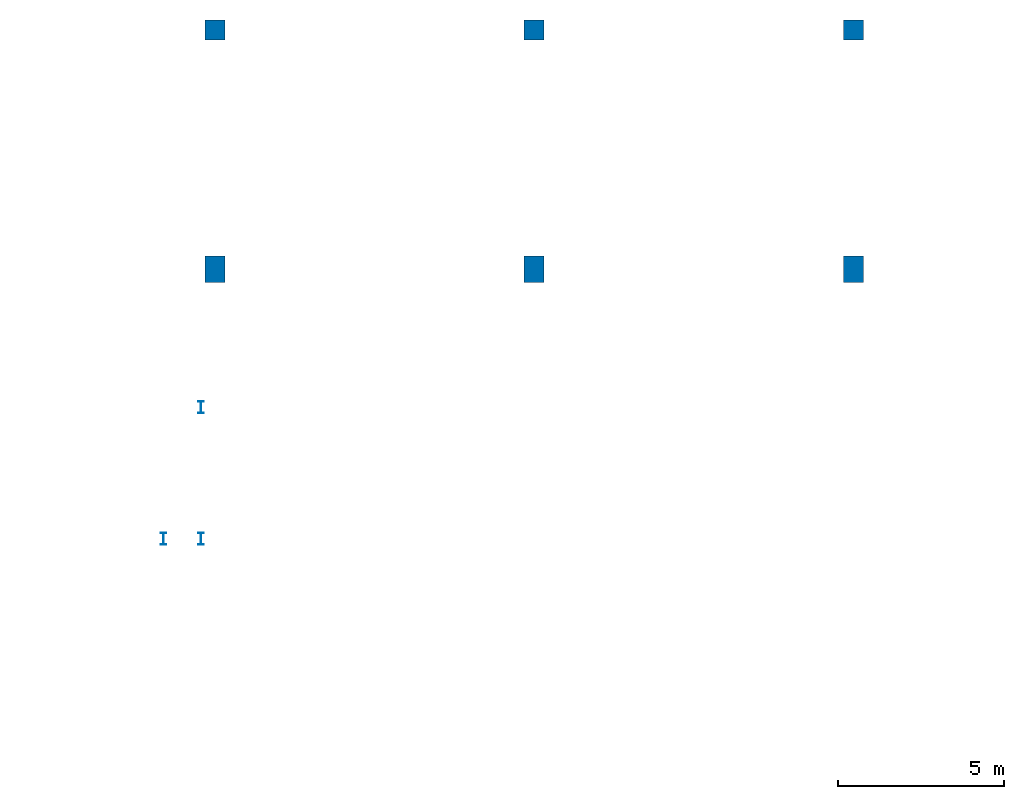
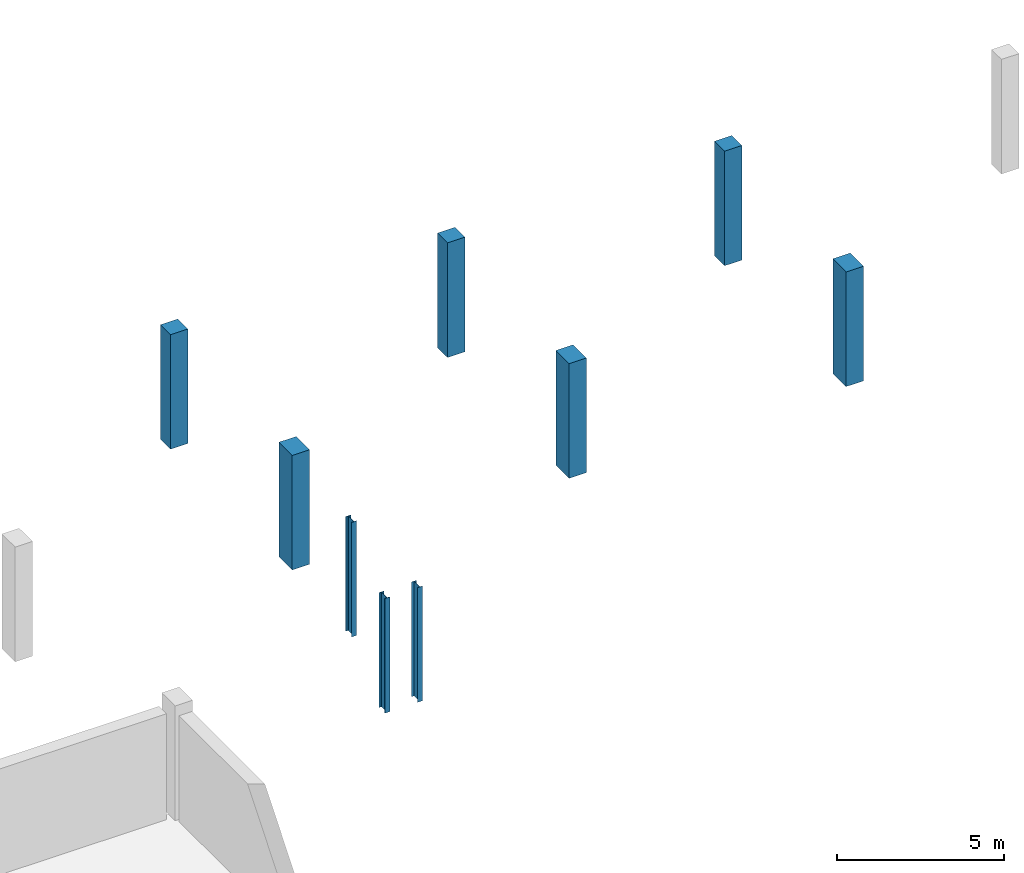
# One storey, part 23 of 47: 9 columns.
"""IFC4 building model written with IfcOpenShell, lengths in metres."""

from ifc_helpers import new_model, si_unit, direction, frame, origin, origin_2d, place, context, subcontext, project, spatial, rectangle, i_section, extrude, material, material_profile, profile_set, type_object, element, save


model = new_model("IFC4")

# Units and contexts
model_context = context("Model", 3, precision=1e-05, world=origin(), true_north=direction((0.0, 1.0)))
body_context = subcontext(model_context, "Body", "Model", "MODEL_VIEW")
ifc_project = project(units=[si_unit("LENGTHUNIT", "METRE"), si_unit("AREAUNIT", "SQUARE_METRE"), si_unit("VOLUMEUNIT", "CUBIC_METRE"), si_unit("PLANEANGLEUNIT", "RADIAN"), si_unit("MASSUNIT", "GRAM", prefix="KILO")], contexts=[model_context])

# Site, building, storey
site_placement = place(None, origin())
site = spatial("IfcSite", under=ifc_project, at=site_placement, CompositionType="ELEMENT")
building_placement = place(site_placement, origin())
building = spatial("IfcBuilding", under=site, at=building_placement, Name="Zevrakil Square Congress Hotel", CompositionType="ELEMENT")
storey_placement = place(building_placement, frame((0.0, 0.0, -4.199951171875)))
storey = spatial("IfcBuildingStorey", under=building, at=storey_placement, Name="B1", CompositionType="ELEMENT", Elevation=-4.199951171875)

# Columns
ifc_material_1 = material(Name="Steel S355", Category="steel")
ifc_material_profile_1 = material_profile(ifc_material_1, i_section(OverallWidth=0.169921875, OverallDepth=0.360107421875, WebThickness=0.008056640625, FlangeThickness=0.0126953125, FilletRadius=0.01806640625, at=origin_2d()), Name="IPE 360")
ifc_profile_set_1 = profile_set([ifc_material_profile_1], Name="Steel S355")
column_type_1 = type_object("IfcColumnType", Name="COL-PILASTER-SHS180", PredefinedType="PILASTER", material=ifc_profile_set_1)
for number, where, z_axis, x_axis, name in (
    (1, (125.64990234375, 104.699951171875, 0.0), (0.0, 0.0, 1.0), (1.0, 0.0, 0.0), "B1 ST11 stair shaft post 1"),
    (2, (126.780029296875, 104.699951171875, 0.0), (0.0, 0.0, 1.0), (1.0, 0.0, 0.0), "B1 ST11 stair shaft post 2"),
    (3, (126.780029296875, 108.64990234375, 0.0), (0.0, 0.0, 1.0), (1.0, 0.0, 0.0), "B1 ST11 stair shaft post 3"),
):
    element("IfcColumn", number, at=place(storey_placement, frame(where, z_axis=z_axis, x_axis=x_axis)), inside=storey, type_object=column_type_1, Name=name, PredefinedType="PILASTER", context=body_context, shape_type="SweptSolid", body=[
        extrude(i_section(OverallWidth=0.169921875, OverallDepth=0.360107421875, WebThickness=0.008056640625, FlangeThickness=0.0126953125, FilletRadius=0.01806640625, at=origin_2d()), origin(), (0.0, 0.0, 1.0), 4.199951171875),
    ])
ifc_material_2 = material(Name="Concrete C40/50", Category="concrete")
ifc_material_profile_2 = material_profile(ifc_material_2, rectangle(XDim=0.60009765625, YDim=0.60009765625, at=origin_2d()), Name="RC 600x600")
ifc_profile_set_2 = profile_set([ifc_material_profile_2], Name="Concrete C40/50")
column_type_2 = type_object("IfcColumnType", Name="COL-RC600", PredefinedType="COLUMN", material=ifc_profile_set_2)
for number, where, z_axis, x_axis, name in (
    (4, (127.199951171875, 120.0, 0.0), (0.0, 0.0, 1.0), (1.0, 0.0, 0.0), "B1 column C-203"),
    (5, (136.800048828125, 120.0, 0.0), (0.0, 0.0, 1.0), (1.0, 0.0, 0.0), "B1 column C-212"),
    (6, (146.39990234375, 120.0, 0.0), (0.0, 0.0, 1.0), (1.0, 0.0, 0.0), "B1 column C-219"),
):
    element("IfcColumn", number, at=place(storey_placement, frame(where, z_axis=z_axis, x_axis=x_axis)), inside=storey, type_object=column_type_2, Name=name, PredefinedType="COLUMN", context=body_context, shape_type="SweptSolid", body=[
        extrude(rectangle(XDim=0.60009765625, YDim=0.60009765625, at=origin_2d()), origin(), (0.0, 0.0, 1.0), 4.199951171875),
    ])
ifc_material_3 = material(Name="Concrete C40/50", Category="concrete")
ifc_material_profile_3 = material_profile(ifc_material_3, rectangle(XDim=0.60009765625, YDim=0.800048828125, at=origin_2d()), Name="RC 600x800")
ifc_profile_set_3 = profile_set([ifc_material_profile_3], Name="Concrete C40/50")
column_type_3 = type_object("IfcColumnType", Name="COL-RC600x800", PredefinedType="COLUMN", material=ifc_profile_set_3)
for number, where, z_axis, x_axis, name in (
    (7, (127.199951171875, 112.800048828125, 0.0), (0.0, 0.0, 1.0), (1.0, 0.0, 0.0), "B1 column C-202"),
    (8, (136.800048828125, 112.800048828125, 0.0), (0.0, 0.0, 1.0), (1.0, 0.0, 0.0), "B1 column C-211"),
    (9, (146.39990234375, 112.800048828125, 0.0), (0.0, 0.0, 1.0), (1.0, 0.0, 0.0), "B1 column C-218"),
):
    element("IfcColumn", number, at=place(storey_placement, frame(where, z_axis=z_axis, x_axis=x_axis)), inside=storey, type_object=column_type_3, Name=name, PredefinedType="COLUMN", context=body_context, shape_type="SweptSolid", body=[
        extrude(rectangle(XDim=0.60009765625, YDim=0.800048828125, at=origin_2d()), origin(), (0.0, 0.0, 1.0), 4.199951171875),
    ])

save(model, "model.ifc")
